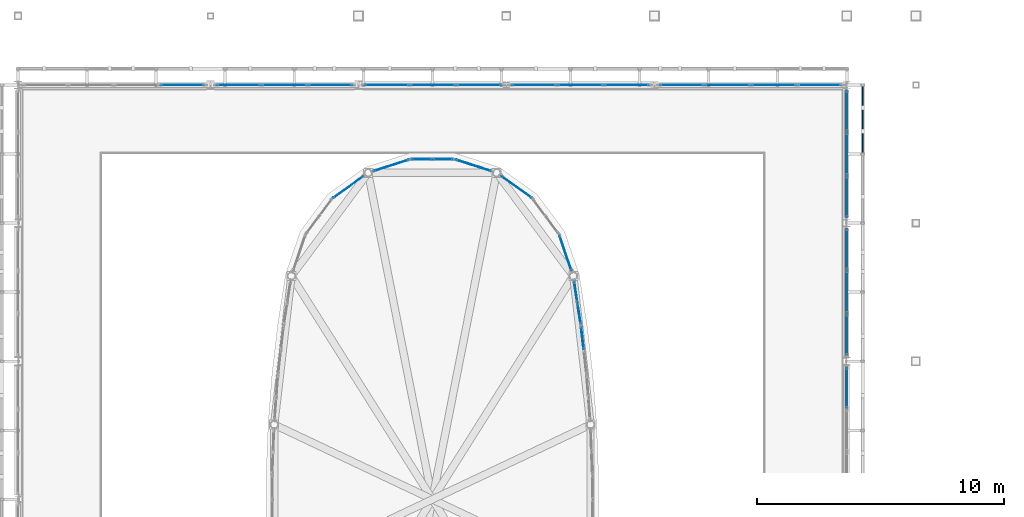
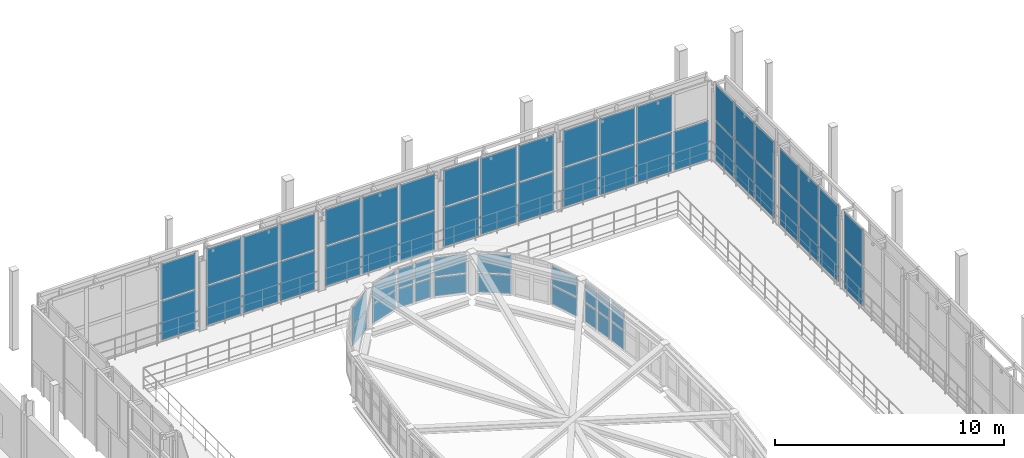
# One storey, part 54 of 78: 62 plates, 16 elements without a shape of their own.
"""IFC4 building model written with IfcOpenShell, lengths in metres."""

import ifcopenshell
import ifcopenshell.guid

model = None  # the IFC model being written
_history = None  # IfcOwnerHistory: only IFC2X3 demands one
_inside = {}  # id of a spatial element -> (the spatial element, [elements in it])
_under = {}  # id of a project, library or spatial element -> (it, [spatial elements below it])
_declared = {}  # id of a project -> (the project, [libraries it declares])
_typed = {}  # id of a type object -> (the type object, [elements of that type])
_made_of = {}  # id of a material, layer set ... -> (it, [elements and type objects made of it])


def new_model(schema):
    """Start an empty IFC model of exactly this schema.

    Asked for "IFC4X3", IfcOpenShell would pick the latest addendum, in which some entities
    have other attributes; the version numbers below select the first issue.
    IFC2X3 requires an IfcOwnerHistory on every rooted entity: one is made here for all.
    """
    global model, _history
    if schema == "IFC4X3":
        model = ifcopenshell.file(schema_version=(4, 3, 0, 0))
    else:
        model = ifcopenshell.file(schema=schema)
    _inside.clear()
    _under.clear()
    _declared.clear()
    _typed.clear()
    _made_of.clear()
    _history = None
    if model.schema == "IFC2X3":
        org = make("IfcOrganization", Name="unknown")
        user = make(
            "IfcPersonAndOrganization",
            ThePerson=make("IfcPerson", FamilyName="unknown"),
            TheOrganization=org,
        )
        app = make(
            "IfcApplication",
            ApplicationDeveloper=org,
            Version="unknown",
            ApplicationFullName="unknown",
            ApplicationIdentifier="unknown",
        )
        _history = make(
            "IfcOwnerHistory",
            OwningUser=user,
            OwningApplication=app,
            ChangeAction="ADDED",
            CreationDate=0,
        )
    return model


def make(cls, **values):
    """One entity of the class cls with the attributes given. An attribute that is None is left unset."""
    return model.create_entity(
        cls, **{name: value for name, value in values.items() if value is not None}
    )


def rooted(cls, **values):
    """An entity with a GlobalId (a new one), such as an element, a storey or a relation."""
    return make(cls, GlobalId=ifcopenshell.guid.new(), OwnerHistory=_history, **values)


def si_unit(unit_type, name, prefix=None):
    """IfcSIUnit, for example si_unit("LENGTHUNIT", "METRE", prefix="MILLI")."""
    return make("IfcSIUnit", UnitType=unit_type, Prefix=prefix, Name=name)


def assignment(units):
    """IfcUnitAssignment: the units of a project."""
    return None if units is None else make("IfcUnitAssignment", Units=units)


def point(xyz):
    """IfcCartesianPoint."""
    return None if xyz is None else make("IfcCartesianPoint", Coordinates=xyz)


def direction(xyz):
    """IfcDirection."""
    return None if xyz is None else make("IfcDirection", DirectionRatios=xyz)


def frame(location, z_axis=None, x_axis=None):
    """IfcAxis2Placement3D, a coordinate frame: its origin and axes. An axis left out is left unset."""
    return make(
        "IfcAxis2Placement3D",
        Location=point(location),
        Axis=direction(z_axis),
        RefDirection=direction(x_axis),
    )


def frame_2d(location, x_axis=None):
    """IfcAxis2Placement2D, a coordinate frame in the plane: its origin and x axis."""
    return make(
        "IfcAxis2Placement2D", Location=point(location), RefDirection=direction(x_axis)
    )


def origin():
    """The frame at (0, 0, 0) with its axes left unset."""
    return frame((0.0, 0.0, 0.0))


def origin_2d():
    """The frame at (0, 0) in the plane with its x axis left unset."""
    return frame_2d((0.0, 0.0))


def place(relative_to, where):
    """IfcLocalPlacement: puts the frame where relative to a parent placement (None: the world)."""
    return make(
        "IfcLocalPlacement", PlacementRelTo=relative_to, RelativePlacement=where
    )


def context(
    kind, dimensions, precision=None, world=None, true_north=None, identifier=None
):
    """IfcGeometricRepresentationContext, for example the 3D "Model" context."""
    return make(
        "IfcGeometricRepresentationContext",
        ContextIdentifier=identifier,
        ContextType=kind,
        CoordinateSpaceDimension=dimensions,
        Precision=precision,
        WorldCoordinateSystem=world,
        TrueNorth=true_north,
    )


def subcontext(parent, identifier, kind, view, scale=None):
    """IfcGeometricRepresentationSubContext, for example "Body" below "Model"."""
    return make(
        "IfcGeometricRepresentationSubContext",
        ContextIdentifier=identifier,
        ContextType=kind,
        ParentContext=parent,
        TargetScale=scale,
        TargetView=view,
    )


def project(units=None, contexts=None):
    """IfcProject with its units and contexts."""
    return rooted(
        "IfcProject",
        Name="project",
        RepresentationContexts=contexts,
        UnitsInContext=assignment(units),
    )


def spatial(cls, under=None, at=None, **own):
    """A site, building, storey or space (cls), placed at a placement, below another one or the project."""
    s = rooted(cls, ObjectPlacement=at, **own)
    if under is not None:
        _under.setdefault(under.id(), (under, []))[1].append(s)
    return s


def profile(cls, at=None, kind="AREA", **sizes):
    """A parametric profile (cls). Its sizes go by their IFC names, for example OverallWidth=200.0."""
    return make(cls, ProfileType=kind, Position=at, **sizes)


def rectangle(**sizes):
    """IfcRectangleProfileDef."""
    return profile("IfcRectangleProfileDef", **sizes)


def extrude(swept, where, along, depth):
    """IfcExtrudedAreaSolid: the profile swept, set in the frame where, extruded along a direction by depth."""
    return make(
        "IfcExtrudedAreaSolid",
        SweptArea=swept,
        Position=where,
        ExtrudedDirection=direction(along),
        Depth=depth,
    )


def shape(context_of_items, identifier, shape_type, items):
    """IfcShapeRepresentation: the items that make up one representation, for example the "Body"."""
    return make(
        "IfcShapeRepresentation",
        ContextOfItems=context_of_items,
        RepresentationIdentifier=identifier,
        RepresentationType=shape_type,
        Items=items,
    )


def material(Name=None, Category=None):
    """IfcMaterial."""
    return make("IfcMaterial", Name=Name, Category=Category)


def layer(
    of_material, thickness, ventilated=None, Name=None, Category=None, Priority=None
):
    """IfcMaterialLayer: one layer of a wall or slab, of a material (None: an air gap)."""
    return make(
        "IfcMaterialLayer",
        Material=of_material,
        LayerThickness=thickness,
        IsVentilated=ventilated,
        Name=Name,
        Category=Category,
        Priority=Priority,
    )


def layer_set(layers, Name=None):
    """IfcMaterialLayerSet."""
    return make("IfcMaterialLayerSet", MaterialLayers=layers, LayerSetName=Name)


def made_of(thing, what):
    """Note that an element or type object is made of a material, layer set ...; save() writes the relation."""
    if what is not None:
        _made_of.setdefault(what.id(), (what, []))[1].append(thing)
    return thing


def type_object(cls, material=None, **own):
    """A type object (cls), such as IfcWallType, which elements share."""
    return made_of(rooted(cls, **own), material)


def element(
    cls,
    number,
    at=None,
    inside=None,
    cuts=None,
    type_object=None,
    material=None,
    context=None,
    identifier="Body",
    shape_type=None,
    held_by="IfcProductDefinitionShape",
    body=None,
    shapes=None,
    **own,
):
    """One element of the class cls, such as IfcWall. Its Tag is "e" and its number.

    at: its placement. inside: the storey or other place that contains it. cuts: it is an
    opening in that element (IfcRelVoidsElement). A single representation is given by context,
    identifier, shape_type and body (its items); several are given by shapes. held_by: the class
    of the entity that holds the representations. save() writes the other relations.
    """
    e = rooted(cls, Tag="e%d" % number, ObjectPlacement=at, **own)
    if body is not None:
        shapes = [shape(context, identifier, shape_type, body)]
    if shapes is not None:
        e.Representation = make(held_by, Representations=shapes)
    if inside is not None:
        _inside.setdefault(inside.id(), (inside, []))[1].append(e)
    if cuts is not None:
        rooted(
            "IfcRelVoidsElement", RelatingBuildingElement=cuts, RelatedOpeningElement=e
        )
    if type_object is not None:
        _typed.setdefault(type_object.id(), (type_object, []))[1].append(e)
    return made_of(e, material)


def aggregate(whole, parts):
    """IfcRelAggregates: a whole, such as a stair, and the parts it consists of."""
    return rooted("IfcRelAggregates", RelatingObject=whole, RelatedObjects=parts)


def save(model, path):
    """Write the relations noted so far, then the file.

    IfcRelAggregates (storeys below a building ...), IfcRelContainedInSpatialStructure (elements
    in a storey), IfcRelDefinesByType, IfcRelAssociatesMaterial and IfcRelDeclares: one each for
    every whole, place, type object, material and project.
    """
    for whole, parts in _under.values():
        aggregate(whole, parts)
    for where, things in _inside.values():
        rooted(
            "IfcRelContainedInSpatialStructure",
            RelatedElements=things,
            RelatingStructure=where,
        )
    for kind, things in _typed.values():
        rooted("IfcRelDefinesByType", RelatedObjects=things, RelatingType=kind)
    for what, things in _made_of.values():
        rooted("IfcRelAssociatesMaterial", RelatedObjects=things, RelatingMaterial=what)
    for by, libraries in _declared.values():
        rooted("IfcRelDeclares", RelatingContext=by, RelatedDefinitions=libraries)
    model.write(path)


model = new_model("IFC4")

# Units and contexts
model_context = context("Model", 3, precision=1e-05, world=origin(), true_north=direction((0.0, 1.0)))
body_context = subcontext(model_context, "Body", "Model", "MODEL_VIEW")
ifc_project = project(units=[si_unit("LENGTHUNIT", "METRE"), si_unit("AREAUNIT", "SQUARE_METRE"), si_unit("VOLUMEUNIT", "CUBIC_METRE"), si_unit("PLANEANGLEUNIT", "RADIAN"), si_unit("MASSUNIT", "GRAM", prefix="KILO")], contexts=[model_context])

# Site, building, storey
site_placement = place(None, origin())
site = spatial("IfcSite", under=ifc_project, at=site_placement, CompositionType="ELEMENT")
building_placement = place(site_placement, origin())
building = spatial("IfcBuilding", under=site, at=building_placement, Name="Vinh Khe Railworks Police Headquarters", CompositionType="ELEMENT")
storey_placement = place(building_placement, frame((0.0, 0.0, 13.199951171875)))
storey = spatial("IfcBuildingStorey", under=building, at=storey_placement, Name="L03", CompositionType="ELEMENT", Elevation=13.199951171875)

# Curtain wall, plates
ifc_material_1 = material(Name="Anodised aluminium and acoustic laminated glass", Category="aluminium")
ifc_layer_1 = layer(ifc_material_1, 0.159912109375)
ifc_layer_set_1 = layer_set([ifc_layer_1], Name="Anodised aluminium and acoustic laminated glass")
curtain_wall_type_1 = type_object("IfcCurtainWallType", Name="CW-DRUM-CHORD", PredefinedType="USERDEFINED", material=ifc_layer_set_1)
curtain_wall_1_placement = place(storey_placement, origin())
curtain_wall_1 = element("IfcCurtainWall", 1, at=curtain_wall_1_placement, inside=storey, type_object=curtain_wall_type_1, Name="Elliptical Command Drum Glazing L03 Chord 8", ObjectType="DRUM FACADE GLAZING", PredefinedType="USERDEFINED")
ifc_material_2 = material(Name="Acoustic laminated solar-control glass", Category="glass")
ifc_layer_2 = layer(ifc_material_2, 0.031982421875)
ifc_layer_set_2 = layer_set([ifc_layer_2], Name="Acoustic laminated solar-control glass")
plate_type_1 = type_object("IfcPlateType", Name="PAN-DRUM-32", PredefinedType="CURTAIN_PANEL", material=ifc_layer_set_2)
plate_1_placement = place(storey_placement, frame((49.28369140625, 48.5390625, 0.06494140625), z_axis=(0.0, 0.0, 1.0), x_axis=(-0.115317737498, 0.993328656296, 0.0)))
plate_1 = element("IfcPlate", 2, at=plate_1_placement, type_object=plate_type_1, Name="CW-02 panel 2.1", PredefinedType="CURTAIN_PANEL", context=body_context, shape_type="SweptSolid", body=[
    extrude(rectangle(XDim=0.913818359375, YDim=0.031982421875, at=origin_2d()), origin(), (0.0, 0.0, 1.0), 0.992431640625),
])
plate_2_placement = place(storey_placement, frame((49.28369140625, 48.5390625, 1.12255859375), z_axis=(0.0, 0.0, 1.0), x_axis=(-0.115317737498, 0.993328656296, 0.0)))
plate_2 = element("IfcPlate", 3, at=plate_2_placement, type_object=plate_type_1, Name="CW-02 panel 2.2", PredefinedType="CURTAIN_PANEL", context=body_context, shape_type="SweptSolid", body=[
    extrude(rectangle(XDim=0.913818359375, YDim=0.031982421875, at=origin_2d()), origin(), (0.0, 0.0, 1.0), 0.992431640625),
])
aggregate(curtain_wall_1, [plate_1, plate_2])

curtain_wall_2_placement = place(storey_placement, origin())
curtain_wall_2 = element("IfcCurtainWall", 4, at=curtain_wall_2_placement, inside=storey, type_object=curtain_wall_type_1, Name="Elliptical Command Drum Glazing L03 Chord 9", ObjectType="DRUM FACADE GLAZING", PredefinedType="USERDEFINED")
plate_3_placement = place(storey_placement, frame((49.150390625, 49.528076171875, 0.06494140625), z_axis=(0.0, 0.0, 1.0), x_axis=(-0.153488905684, 0.988150371063, 0.0)))
plate_3 = element("IfcPlate", 5, at=plate_3_placement, type_object=plate_type_1, Name="CW-02 panel 1.1", PredefinedType="CURTAIN_PANEL", context=body_context, shape_type="SweptSolid", body=[
    extrude(rectangle(XDim=0.82275390625, YDim=0.031982421875, at=origin_2d()), origin(), (0.0, 0.0, 1.0), 0.992431640625),
])
plate_4_placement = place(storey_placement, frame((49.150390625, 49.528076171875, 1.12255859375), z_axis=(0.0, 0.0, 1.0), x_axis=(-0.153488905684, 0.988150371063, 0.0)))
plate_4 = element("IfcPlate", 6, at=plate_4_placement, type_object=plate_type_1, Name="CW-02 panel 1.2", PredefinedType="CURTAIN_PANEL", context=body_context, shape_type="SweptSolid", body=[
    extrude(rectangle(XDim=0.82275390625, YDim=0.031982421875, at=origin_2d()), origin(), (0.0, 0.0, 1.0), 0.992431640625),
])
plate_5_placement = place(storey_placement, frame((49.01416015625, 50.4052734375, 0.06494140625), z_axis=(0.0, 0.0, 1.0), x_axis=(-0.153488905684, 0.988150371063, 0.0)))
plate_5 = element("IfcPlate", 7, at=plate_5_placement, type_object=plate_type_1, Name="CW-02 panel 2.1", PredefinedType="CURTAIN_PANEL", context=body_context, shape_type="SweptSolid", body=[
    extrude(rectangle(XDim=0.82275390625, YDim=0.031982421875, at=origin_2d()), origin(), (0.0, 0.0, 1.0), 0.992431640625),
])
plate_6_placement = place(storey_placement, frame((49.01416015625, 50.4052734375, 1.12255859375), z_axis=(0.0, 0.0, 1.0), x_axis=(-0.153488905684, 0.988150371063, 0.0)))
plate_6 = element("IfcPlate", 8, at=plate_6_placement, type_object=plate_type_1, Name="CW-02 panel 2.2", PredefinedType="CURTAIN_PANEL", context=body_context, shape_type="SweptSolid", body=[
    extrude(rectangle(XDim=0.82275390625, YDim=0.031982421875, at=origin_2d()), origin(), (0.0, 0.0, 1.0), 0.992431640625),
])
aggregate(curtain_wall_2, [plate_3, plate_4, plate_5, plate_6])

curtain_wall_3_placement = place(storey_placement, origin())
curtain_wall_3 = element("IfcCurtainWall", 9, at=curtain_wall_3_placement, inside=storey, type_object=curtain_wall_type_1, Name="Elliptical Command Drum Glazing L03 Chord 10", ObjectType="DRUM FACADE GLAZING", PredefinedType="USERDEFINED")
plate_7_placement = place(storey_placement, frame((48.59423828125, 51.990966796875, 0.06494140625), z_axis=(0.0, 0.0, 1.0), x_axis=(-0.322748955701, 0.946484607162, 0.0)))
plate_7 = element("IfcPlate", 10, at=plate_7_placement, type_object=plate_type_1, Name="CW-02 panel 1.1", PredefinedType="CURTAIN_PANEL", context=body_context, shape_type="SweptSolid", body=[
    extrude(rectangle(XDim=1.48193359375, YDim=0.031982421875, at=origin_2d()), origin(), (0.0, 0.0, 1.0), 0.992431640625),
])
plate_8_placement = place(storey_placement, frame((48.59423828125, 51.990966796875, 1.12255859375), z_axis=(0.0, 0.0, 1.0), x_axis=(-0.322748955701, 0.946484607162, 0.0)))
plate_8 = element("IfcPlate", 11, at=plate_8_placement, type_object=plate_type_1, Name="CW-02 panel 1.2", PredefinedType="CURTAIN_PANEL", context=body_context, shape_type="SweptSolid", body=[
    extrude(rectangle(XDim=1.48193359375, YDim=0.031982421875, at=origin_2d()), origin(), (0.0, 0.0, 1.0), 0.992431640625),
])
aggregate(curtain_wall_3, [plate_7, plate_8])

curtain_wall_4_placement = place(storey_placement, origin())
curtain_wall_4 = element("IfcCurtainWall", 12, at=curtain_wall_4_placement, inside=storey, type_object=curtain_wall_type_1, Name="Elliptical Command Drum Glazing L03 Chord 12", ObjectType="DRUM FACADE GLAZING", PredefinedType="USERDEFINED")
plate_9_placement = place(storey_placement, frame((46.6083984375, 54.66259765625, 0.06494140625), z_axis=(0.0, 0.0, 1.0), x_axis=(-0.813250307161, 0.581914029649, 0.0)))
plate_9 = element("IfcPlate", 13, at=plate_9_placement, type_object=plate_type_1, Name="CW-02 panel 1.1", PredefinedType="CURTAIN_PANEL", context=body_context, shape_type="SweptSolid", body=[
    extrude(rectangle(XDim=1.48193359375, YDim=0.031982421875, at=origin_2d()), origin(), (0.0, 0.0, 1.0), 0.992431640625),
])
plate_10_placement = place(storey_placement, frame((46.6083984375, 54.66259765625, 1.12255859375), z_axis=(0.0, 0.0, 1.0), x_axis=(-0.813250307161, 0.581914029649, 0.0)))
plate_10 = element("IfcPlate", 14, at=plate_10_placement, type_object=plate_type_1, Name="CW-02 panel 1.2", PredefinedType="CURTAIN_PANEL", context=body_context, shape_type="SweptSolid", body=[
    extrude(rectangle(XDim=1.48193359375, YDim=0.031982421875, at=origin_2d()), origin(), (0.0, 0.0, 1.0), 0.992431640625),
])
aggregate(curtain_wall_4, [plate_9, plate_10])

curtain_wall_5_placement = place(storey_placement, origin())
curtain_wall_5 = element("IfcCurtainWall", 15, at=curtain_wall_5_placement, inside=storey, type_object=curtain_wall_type_1, Name="Elliptical Command Drum Glazing L03 Chord 13", ObjectType="DRUM FACADE GLAZING", PredefinedType="USERDEFINED")
plate_11_placement = place(storey_placement, frame((44.864501953125, 55.539306640625, 0.06494140625), z_axis=(0.0, 0.0, 1.0), x_axis=(-0.952166591336, 0.305579420681, 0.0)))
plate_11 = element("IfcPlate", 16, at=plate_11_placement, type_object=plate_type_1, Name="CW-02 panel 1.1", PredefinedType="CURTAIN_PANEL", context=body_context, shape_type="SweptSolid", body=[
    extrude(rectangle(XDim=1.48193359375, YDim=0.031982421875, at=origin_2d()), origin(), (0.0, 0.0, 1.0), 0.992431640625),
])
plate_12_placement = place(storey_placement, frame((44.864501953125, 55.539306640625, 1.12255859375), z_axis=(0.0, 0.0, 1.0), x_axis=(-0.952166591336, 0.305579420681, 0.0)))
plate_12 = element("IfcPlate", 17, at=plate_12_placement, type_object=plate_type_1, Name="CW-02 panel 1.2", PredefinedType="CURTAIN_PANEL", context=body_context, shape_type="SweptSolid", body=[
    extrude(rectangle(XDim=1.48193359375, YDim=0.031982421875, at=origin_2d()), origin(), (0.0, 0.0, 1.0), 0.992431640625),
])
aggregate(curtain_wall_5, [plate_11, plate_12])

curtain_wall_6_placement = place(storey_placement, origin())
curtain_wall_6 = element("IfcCurtainWall", 18, at=curtain_wall_6_placement, inside=storey, type_object=curtain_wall_type_1, Name="Elliptical Command Drum Glazing L03 Chord 14", ObjectType="DRUM FACADE GLAZING", PredefinedType="USERDEFINED")
plate_13_placement = place(storey_placement, frame((43.63232421875, 55.78564453125, 0.06494140625), z_axis=(0.0, 0.0, 1.0), x_axis=(-1.0, 0.0, 0.0)))
plate_13 = element("IfcPlate", 19, at=plate_13_placement, type_object=plate_type_1, Name="CW-02 panel 1.1", PredefinedType="CURTAIN_PANEL", context=body_context, shape_type="SweptSolid", body=[
    extrude(rectangle(XDim=0.799560546875, YDim=0.031982421875, at=origin_2d()), origin(), (0.0, 0.0, 1.0), 0.992431640625),
])
plate_14_placement = place(storey_placement, frame((43.63232421875, 55.78564453125, 1.12255859375), z_axis=(0.0, 0.0, 1.0), x_axis=(-1.0, 0.0, 0.0)))
plate_14 = element("IfcPlate", 20, at=plate_14_placement, type_object=plate_type_1, Name="CW-02 panel 1.2", PredefinedType="CURTAIN_PANEL", context=body_context, shape_type="SweptSolid", body=[
    extrude(rectangle(XDim=0.799560546875, YDim=0.031982421875, at=origin_2d()), origin(), (0.0, 0.0, 1.0), 0.992431640625),
])
plate_15_placement = place(storey_placement, frame((42.767822265625, 55.78564453125, 0.06494140625), z_axis=(0.0, 0.0, 1.0), x_axis=(-1.0, 0.0, 0.0)))
plate_15 = element("IfcPlate", 21, at=plate_15_placement, type_object=plate_type_1, Name="CW-02 panel 2.1", PredefinedType="CURTAIN_PANEL", context=body_context, shape_type="SweptSolid", body=[
    extrude(rectangle(XDim=0.799560546875, YDim=0.031982421875, at=origin_2d()), origin(), (0.0, 0.0, 1.0), 0.992431640625),
])
plate_16_placement = place(storey_placement, frame((42.767822265625, 55.78564453125, 1.12255859375), z_axis=(0.0, 0.0, 1.0), x_axis=(-1.0, 0.0, 0.0)))
plate_16 = element("IfcPlate", 22, at=plate_16_placement, type_object=plate_type_1, Name="CW-02 panel 2.2", PredefinedType="CURTAIN_PANEL", context=body_context, shape_type="SweptSolid", body=[
    extrude(rectangle(XDim=0.799560546875, YDim=0.031982421875, at=origin_2d()), origin(), (0.0, 0.0, 1.0), 0.992431640625),
])
aggregate(curtain_wall_6, [plate_13, plate_14, plate_15, plate_16])

curtain_wall_7_placement = place(storey_placement, origin())
curtain_wall_7 = element("IfcCurtainWall", 23, at=curtain_wall_7_placement, inside=storey, type_object=curtain_wall_type_1, Name="Elliptical Command Drum Glazing L03 Chord 15", ObjectType="DRUM FACADE GLAZING", PredefinedType="USERDEFINED")
plate_17_placement = place(storey_placement, frame((41.53564453125, 55.539306640625, 0.06494140625), z_axis=(0.0, 0.0, 1.0), x_axis=(-0.952166591336, -0.305579420681, 0.0)))
plate_17 = element("IfcPlate", 24, at=plate_17_placement, type_object=plate_type_1, Name="CW-02 panel 1.1", PredefinedType="CURTAIN_PANEL", context=body_context, shape_type="SweptSolid", body=[
    extrude(rectangle(XDim=1.48193359375, YDim=0.031982421875, at=origin_2d()), origin(), (0.0, 0.0, 1.0), 0.992431640625),
])
plate_18_placement = place(storey_placement, frame((41.53564453125, 55.539306640625, 1.12255859375), z_axis=(0.0, 0.0, 1.0), x_axis=(-0.952166591336, -0.305579420681, 0.0)))
plate_18 = element("IfcPlate", 25, at=plate_18_placement, type_object=plate_type_1, Name="CW-02 panel 1.2", PredefinedType="CURTAIN_PANEL", context=body_context, shape_type="SweptSolid", body=[
    extrude(rectangle(XDim=1.48193359375, YDim=0.031982421875, at=origin_2d()), origin(), (0.0, 0.0, 1.0), 0.992431640625),
])
aggregate(curtain_wall_7, [plate_17, plate_18])

curtain_wall_8_placement = place(storey_placement, origin())
curtain_wall_8 = element("IfcCurtainWall", 26, at=curtain_wall_8_placement, inside=storey, type_object=curtain_wall_type_1, Name="Elliptical Command Drum Glazing L03 Chord 16", ObjectType="DRUM FACADE GLAZING", PredefinedType="USERDEFINED")
plate_19_placement = place(storey_placement, frame((39.79150390625, 54.66259765625, 0.06494140625), z_axis=(0.0, 0.0, 1.0), x_axis=(-0.813250307161, -0.581914029649, 0.0)))
plate_19 = element("IfcPlate", 27, at=plate_19_placement, type_object=plate_type_1, Name="CW-02 panel 1.1", PredefinedType="CURTAIN_PANEL", context=body_context, shape_type="SweptSolid", body=[
    extrude(rectangle(XDim=1.48193359375, YDim=0.031982421875, at=origin_2d()), origin(), (0.0, 0.0, 1.0), 0.992431640625),
])
plate_20_placement = place(storey_placement, frame((39.79150390625, 54.66259765625, 1.12255859375), z_axis=(0.0, 0.0, 1.0), x_axis=(-0.813250307161, -0.581914029649, 0.0)))
plate_20 = element("IfcPlate", 28, at=plate_20_placement, type_object=plate_type_1, Name="CW-02 panel 1.2", PredefinedType="CURTAIN_PANEL", context=body_context, shape_type="SweptSolid", body=[
    extrude(rectangle(XDim=1.48193359375, YDim=0.031982421875, at=origin_2d()), origin(), (0.0, 0.0, 1.0), 0.992431640625),
])
aggregate(curtain_wall_8, [plate_19, plate_20])

ifc_material_3 = material(Name="Anodised aluminium and low-iron glass", Category="aluminium")
ifc_layer_3 = layer(ifc_material_3, 0.179931640625)
ifc_layer_set_3 = layer_set([ifc_layer_3], Name="Anodised aluminium and low-iron glass")
curtain_wall_type_2 = type_object("IfcCurtainWallType", Name="CW-CUBE-UNIT", PredefinedType="USERDEFINED", material=ifc_layer_set_3)
curtain_wall_9_placement = place(storey_placement, origin())
curtain_wall_9 = element("IfcCurtainWall", 29, at=curtain_wall_9_placement, inside=storey, type_object=curtain_wall_type_2, Name="Entrance Hall Curtain Wall L03 N-1", ObjectType="UNITISED GLAZING", PredefinedType="USERDEFINED")
ifc_material_4 = material(Name="Low-iron laminated solar-control glass", Category="glass")
ifc_layer_4 = layer(ifc_material_4, 0.028076171875)
ifc_layer_set_4 = layer_set([ifc_layer_4], Name="Low-iron laminated solar-control glass")
plate_type_2 = type_object("IfcPlateType", Name="PAN-GLZ-28", PredefinedType="CURTAIN_PANEL", material=ifc_layer_set_4)
plate_21_placement = place(storey_placement, frame((33.05810546875, 58.800048828125, 0.070068359375), z_axis=(0.0, 0.0, 1.0), x_axis=(1.0, 0.0, 0.0)))
plate_21 = element("IfcPlate", 30, at=plate_21_placement, type_object=plate_type_2, Name="CW-01 panel 4.1", PredefinedType="CURTAIN_PANEL", context=body_context, shape_type="SweptSolid", body=[
    extrude(rectangle(XDim=1.753662109375, YDim=0.028076171875, at=origin_2d()), origin(), (0.0, 0.0, 1.0), 2.0791015625),
])
plate_22_placement = place(storey_placement, frame((33.05810546875, 58.800048828125, 2.21923828125), z_axis=(0.0, 0.0, 1.0), x_axis=(1.0, 0.0, 0.0)))
plate_22 = element("IfcPlate", 31, at=plate_22_placement, type_object=plate_type_2, Name="CW-01 panel 4.2", PredefinedType="CURTAIN_PANEL", context=body_context, shape_type="SweptSolid", body=[
    extrude(rectangle(XDim=1.753662109375, YDim=0.028076171875, at=origin_2d()), origin(), (0.0, 0.0, 1.0), 1.910888671875),
])
aggregate(curtain_wall_9, [plate_21, plate_22])

curtain_wall_10_placement = place(storey_placement, origin())
curtain_wall_10 = element("IfcCurtainWall", 32, at=curtain_wall_10_placement, inside=storey, type_object=curtain_wall_type_2, Name="Entrance Hall Curtain Wall L03 N-2", ObjectType="UNITISED GLAZING", PredefinedType="USERDEFINED")
plate_23_placement = place(storey_placement, frame((35.34912109375, 58.800048828125, 0.070068359375), z_axis=(0.0, 0.0, 1.0), x_axis=(1.0, 0.0, 0.0)))
plate_23 = element("IfcPlate", 33, at=plate_23_placement, type_object=plate_type_2, Name="CW-01 panel 1.1", PredefinedType="CURTAIN_PANEL", context=body_context, shape_type="SweptSolid", body=[
    extrude(rectangle(XDim=1.768310546875, YDim=0.028076171875, at=origin_2d()), origin(), (0.0, 0.0, 1.0), 2.0791015625),
])
plate_24_placement = place(storey_placement, frame((35.34912109375, 58.800048828125, 2.21923828125), z_axis=(0.0, 0.0, 1.0), x_axis=(1.0, 0.0, 0.0)))
plate_24 = element("IfcPlate", 34, at=plate_24_placement, type_object=plate_type_2, Name="CW-01 panel 1.2", PredefinedType="CURTAIN_PANEL", context=body_context, shape_type="SweptSolid", body=[
    extrude(rectangle(XDim=1.768310546875, YDim=0.028076171875, at=origin_2d()), origin(), (0.0, 0.0, 1.0), 1.910888671875),
])
plate_25_placement = place(storey_placement, frame((37.205078125, 58.800048828125, 0.070068359375), z_axis=(0.0, 0.0, 1.0), x_axis=(1.0, 0.0, 0.0)))
plate_25 = element("IfcPlate", 35, at=plate_25_placement, type_object=plate_type_2, Name="CW-01 panel 2.1", PredefinedType="CURTAIN_PANEL", context=body_context, shape_type="SweptSolid", body=[
    extrude(rectangle(XDim=1.80322265625, YDim=0.028076171875, at=origin_2d()), origin(), (0.0, 0.0, 1.0), 2.0791015625),
])
plate_26_placement = place(storey_placement, frame((37.205078125, 58.800048828125, 2.21923828125), z_axis=(0.0, 0.0, 1.0), x_axis=(1.0, 0.0, 0.0)))
plate_26 = element("IfcPlate", 36, at=plate_26_placement, type_object=plate_type_2, Name="CW-01 panel 2.2", PredefinedType="CURTAIN_PANEL", context=body_context, shape_type="SweptSolid", body=[
    extrude(rectangle(XDim=1.80322265625, YDim=0.028076171875, at=origin_2d()), origin(), (0.0, 0.0, 1.0), 1.910888671875),
])
plate_27_placement = place(storey_placement, frame((39.060791015625, 58.800048828125, 0.070068359375), z_axis=(0.0, 0.0, 1.0), x_axis=(1.0, 0.0, 0.0)))
plate_27 = element("IfcPlate", 37, at=plate_27_placement, type_object=plate_type_2, Name="CW-01 panel 3.1", PredefinedType="CURTAIN_PANEL", context=body_context, shape_type="SweptSolid", body=[
    extrude(rectangle(XDim=1.768310546875, YDim=0.028076171875, at=origin_2d()), origin(), (0.0, 0.0, 1.0), 2.0791015625),
])
plate_28_placement = place(storey_placement, frame((39.060791015625, 58.800048828125, 2.21923828125), z_axis=(0.0, 0.0, 1.0), x_axis=(1.0, 0.0, 0.0)))
plate_28 = element("IfcPlate", 38, at=plate_28_placement, type_object=plate_type_2, Name="CW-01 panel 3.2", PredefinedType="CURTAIN_PANEL", context=body_context, shape_type="SweptSolid", body=[
    extrude(rectangle(XDim=1.768310546875, YDim=0.028076171875, at=origin_2d()), origin(), (0.0, 0.0, 1.0), 1.910888671875),
])
aggregate(curtain_wall_10, [plate_23, plate_24, plate_25, plate_26, plate_27, plate_28])

curtain_wall_11_placement = place(storey_placement, origin())
curtain_wall_11 = element("IfcCurtainWall", 39, at=curtain_wall_11_placement, inside=storey, type_object=curtain_wall_type_2, Name="Entrance Hall Curtain Wall L03 N-3", ObjectType="UNITISED GLAZING", PredefinedType="USERDEFINED")
plate_29_placement = place(storey_placement, frame((41.348388671875, 58.800048828125, 0.070068359375), z_axis=(0.0, 0.0, 1.0), x_axis=(1.0, 0.0, 0.0)))
plate_29 = element("IfcPlate", 40, at=plate_29_placement, type_object=plate_type_2, Name="CW-01 panel 1.1", PredefinedType="CURTAIN_PANEL", context=body_context, shape_type="SweptSolid", body=[
    extrude(rectangle(XDim=1.78662109375, YDim=0.028076171875, at=origin_2d()), origin(), (0.0, 0.0, 1.0), 2.0791015625),
])
plate_30_placement = place(storey_placement, frame((41.348388671875, 58.800048828125, 2.21923828125), z_axis=(0.0, 0.0, 1.0), x_axis=(1.0, 0.0, 0.0)))
plate_30 = element("IfcPlate", 41, at=plate_30_placement, type_object=plate_type_2, Name="CW-01 panel 1.2", PredefinedType="CURTAIN_PANEL", context=body_context, shape_type="SweptSolid", body=[
    extrude(rectangle(XDim=1.78662109375, YDim=0.028076171875, at=origin_2d()), origin(), (0.0, 0.0, 1.0), 1.910888671875),
])
plate_31_placement = place(storey_placement, frame((43.222412109375, 58.800048828125, 0.070068359375), z_axis=(0.0, 0.0, 1.0), x_axis=(1.0, 0.0, 0.0)))
plate_31 = element("IfcPlate", 42, at=plate_31_placement, type_object=plate_type_2, Name="CW-01 panel 2.1", PredefinedType="CURTAIN_PANEL", context=body_context, shape_type="SweptSolid", body=[
    extrude(rectangle(XDim=1.82177734375, YDim=0.028076171875, at=origin_2d()), origin(), (0.0, 0.0, 1.0), 2.0791015625),
])
plate_32_placement = place(storey_placement, frame((43.222412109375, 58.800048828125, 2.21923828125), z_axis=(0.0, 0.0, 1.0), x_axis=(1.0, 0.0, 0.0)))
plate_32 = element("IfcPlate", 43, at=plate_32_placement, type_object=plate_type_2, Name="CW-01 panel 2.2", PredefinedType="CURTAIN_PANEL", context=body_context, shape_type="SweptSolid", body=[
    extrude(rectangle(XDim=1.82177734375, YDim=0.028076171875, at=origin_2d()), origin(), (0.0, 0.0, 1.0), 1.910888671875),
])
plate_33_placement = place(storey_placement, frame((45.0966796875, 58.800048828125, 0.070068359375), z_axis=(0.0, 0.0, 1.0), x_axis=(1.0, 0.0, 0.0)))
plate_33 = element("IfcPlate", 44, at=plate_33_placement, type_object=plate_type_2, Name="CW-01 panel 3.1", PredefinedType="CURTAIN_PANEL", context=body_context, shape_type="SweptSolid", body=[
    extrude(rectangle(XDim=1.78662109375, YDim=0.028076171875, at=origin_2d()), origin(), (0.0, 0.0, 1.0), 2.0791015625),
])
plate_34_placement = place(storey_placement, frame((45.0966796875, 58.800048828125, 2.21923828125), z_axis=(0.0, 0.0, 1.0), x_axis=(1.0, 0.0, 0.0)))
plate_34 = element("IfcPlate", 45, at=plate_34_placement, type_object=plate_type_2, Name="CW-01 panel 3.2", PredefinedType="CURTAIN_PANEL", context=body_context, shape_type="SweptSolid", body=[
    extrude(rectangle(XDim=1.78662109375, YDim=0.028076171875, at=origin_2d()), origin(), (0.0, 0.0, 1.0), 1.910888671875),
])
aggregate(curtain_wall_11, [plate_29, plate_30, plate_31, plate_32, plate_33, plate_34])

curtain_wall_12_placement = place(storey_placement, origin())
curtain_wall_12 = element("IfcCurtainWall", 46, at=curtain_wall_12_placement, inside=storey, type_object=curtain_wall_type_2, Name="Entrance Hall Curtain Wall L03 N-4", ObjectType="UNITISED GLAZING", PredefinedType="USERDEFINED")
plate_35_placement = place(storey_placement, frame((47.3076171875, 58.800048828125, 0.070068359375), z_axis=(0.0, 0.0, 1.0), x_axis=(1.0, 0.0, 0.0)))
plate_35 = element("IfcPlate", 47, at=plate_35_placement, type_object=plate_type_2, Name="CW-01 panel 1.1", PredefinedType="CURTAIN_PANEL", context=body_context, shape_type="SweptSolid", body=[
    extrude(rectangle(XDim=1.794921875, YDim=0.028076171875, at=origin_2d()), origin(), (0.0, 0.0, 1.0), 2.0791015625),
])
plate_36_placement = place(storey_placement, frame((47.3076171875, 58.800048828125, 2.21923828125), z_axis=(0.0, 0.0, 1.0), x_axis=(1.0, 0.0, 0.0)))
plate_36 = element("IfcPlate", 48, at=plate_36_placement, type_object=plate_type_2, Name="CW-01 panel 1.2", PredefinedType="CURTAIN_PANEL", context=body_context, shape_type="SweptSolid", body=[
    extrude(rectangle(XDim=1.794921875, YDim=0.028076171875, at=origin_2d()), origin(), (0.0, 0.0, 1.0), 1.910888671875),
])
plate_37_placement = place(storey_placement, frame((49.18994140625, 58.800048828125, 0.070068359375), z_axis=(0.0, 0.0, 1.0), x_axis=(1.0, 0.0, 0.0)))
plate_37 = element("IfcPlate", 49, at=plate_37_placement, type_object=plate_type_2, Name="CW-01 panel 2.1", PredefinedType="CURTAIN_PANEL", context=body_context, shape_type="SweptSolid", body=[
    extrude(rectangle(XDim=1.830078125, YDim=0.028076171875, at=origin_2d()), origin(), (0.0, 0.0, 1.0), 2.0791015625),
])
plate_38_placement = place(storey_placement, frame((49.18994140625, 58.800048828125, 2.21923828125), z_axis=(0.0, 0.0, 1.0), x_axis=(1.0, 0.0, 0.0)))
plate_38 = element("IfcPlate", 50, at=plate_38_placement, type_object=plate_type_2, Name="CW-01 panel 2.2", PredefinedType="CURTAIN_PANEL", context=body_context, shape_type="SweptSolid", body=[
    extrude(rectangle(XDim=1.830078125, YDim=0.028076171875, at=origin_2d()), origin(), (0.0, 0.0, 1.0), 1.910888671875),
])
plate_39_placement = place(storey_placement, frame((51.072509765625, 58.800048828125, 0.070068359375), z_axis=(0.0, 0.0, 1.0), x_axis=(1.0, 0.0, 0.0)))
plate_39 = element("IfcPlate", 51, at=plate_39_placement, type_object=plate_type_2, Name="CW-01 panel 3.1", PredefinedType="CURTAIN_PANEL", context=body_context, shape_type="SweptSolid", body=[
    extrude(rectangle(XDim=1.794921875, YDim=0.028076171875, at=origin_2d()), origin(), (0.0, 0.0, 1.0), 2.0791015625),
])
plate_40_placement = place(storey_placement, frame((51.072509765625, 58.800048828125, 2.21923828125), z_axis=(0.0, 0.0, 1.0), x_axis=(1.0, 0.0, 0.0)))
plate_40 = element("IfcPlate", 52, at=plate_40_placement, type_object=plate_type_2, Name="CW-01 panel 3.2", PredefinedType="CURTAIN_PANEL", context=body_context, shape_type="SweptSolid", body=[
    extrude(rectangle(XDim=1.794921875, YDim=0.028076171875, at=origin_2d()), origin(), (0.0, 0.0, 1.0), 1.910888671875),
])
aggregate(curtain_wall_12, [plate_35, plate_36, plate_37, plate_38, plate_39, plate_40])

curtain_wall_13_placement = place(storey_placement, origin())
curtain_wall_13 = element("IfcCurtainWall", 53, at=curtain_wall_13_placement, inside=storey, type_object=curtain_wall_type_2, Name="Entrance Hall Curtain Wall L03 N-5", ObjectType="UNITISED GLAZING", PredefinedType="USERDEFINED")
plate_41_placement = place(storey_placement, frame((53.3125, 58.800048828125, 0.070068359375), z_axis=(0.0, 0.0, 1.0), x_axis=(1.0, 0.0, 0.0)))
plate_41 = element("IfcPlate", 54, at=plate_41_placement, type_object=plate_type_2, Name="CW-01 panel 1.1", PredefinedType="CURTAIN_PANEL", context=body_context, shape_type="SweptSolid", body=[
    extrude(rectangle(XDim=1.764892578125, YDim=0.028076171875, at=origin_2d()), origin(), (0.0, 0.0, 1.0), 2.0791015625),
])
plate_42_placement = place(storey_placement, frame((53.3125, 58.800048828125, 2.21923828125), z_axis=(0.0, 0.0, 1.0), x_axis=(1.0, 0.0, 0.0)))
plate_42 = element("IfcPlate", 55, at=plate_42_placement, type_object=plate_type_2, Name="CW-01 panel 1.2", PredefinedType="CURTAIN_PANEL", context=body_context, shape_type="SweptSolid", body=[
    extrude(rectangle(XDim=1.764892578125, YDim=0.028076171875, at=origin_2d()), origin(), (0.0, 0.0, 1.0), 1.910888671875),
])
plate_43_placement = place(storey_placement, frame((55.1650390625, 58.800048828125, 0.070068359375), z_axis=(0.0, 0.0, 1.0), x_axis=(1.0, 0.0, 0.0)))
plate_43 = element("IfcPlate", 56, at=plate_43_placement, type_object=plate_type_2, Name="CW-01 panel 2.1", PredefinedType="CURTAIN_PANEL", context=body_context, shape_type="SweptSolid", body=[
    extrude(rectangle(XDim=1.800048828125, YDim=0.028076171875, at=origin_2d()), origin(), (0.0, 0.0, 1.0), 2.0791015625),
])
plate_44_placement = place(storey_placement, frame((55.1650390625, 58.800048828125, 2.21923828125), z_axis=(0.0, 0.0, 1.0), x_axis=(1.0, 0.0, 0.0)))
plate_44 = element("IfcPlate", 57, at=plate_44_placement, type_object=plate_type_2, Name="CW-01 panel 2.2", PredefinedType="CURTAIN_PANEL", context=body_context, shape_type="SweptSolid", body=[
    extrude(rectangle(XDim=1.800048828125, YDim=0.028076171875, at=origin_2d()), origin(), (0.0, 0.0, 1.0), 1.910888671875),
])
plate_45_placement = place(storey_placement, frame((57.034912109375, 58.800048828125, 0.070068359375), z_axis=(0.0, 0.0, 1.0), x_axis=(1.0, 0.0, 0.0)))
plate_45 = element("IfcPlate", 58, at=plate_45_placement, type_object=plate_type_2, Name="CW-01 panel 3.1", PredefinedType="CURTAIN_PANEL", context=body_context, shape_type="SweptSolid", body=[
    extrude(rectangle(XDim=1.800048828125, YDim=0.028076171875, at=origin_2d()), origin(), (0.0, 0.0, 1.0), 2.0791015625),
])
plate_46_placement = place(storey_placement, frame((57.034912109375, 58.800048828125, 2.21923828125), z_axis=(0.0, 0.0, 1.0), x_axis=(1.0, 0.0, 0.0)))
plate_46 = element("IfcPlate", 59, at=plate_46_placement, type_object=plate_type_2, Name="CW-01 panel 3.2", PredefinedType="CURTAIN_PANEL", context=body_context, shape_type="SweptSolid", body=[
    extrude(rectangle(XDim=1.800048828125, YDim=0.028076171875, at=origin_2d()), origin(), (0.0, 0.0, 1.0), 1.910888671875),
])
plate_47_placement = place(storey_placement, frame((58.887451171875, 58.800048828125, 0.070068359375), z_axis=(0.0, 0.0, 1.0), x_axis=(1.0, 0.0, 0.0)))
plate_47 = element("IfcPlate", 60, at=plate_47_placement, type_object=plate_type_2, Name="CW-01 panel 4.1", PredefinedType="CURTAIN_PANEL", context=body_context, shape_type="SweptSolid", body=[
    extrude(rectangle(XDim=1.764892578125, YDim=0.028076171875, at=origin_2d()), origin(), (0.0, 0.0, 1.0), 2.0791015625),
])
aggregate(curtain_wall_13, [plate_41, plate_42, plate_43, plate_44, plate_45, plate_46, plate_47])

curtain_wall_14_placement = place(storey_placement, origin())
curtain_wall_14 = element("IfcCurtainWall", 61, at=curtain_wall_14_placement, inside=storey, type_object=curtain_wall_type_2, Name="Entrance Hall Curtain Wall L03 E-4", ObjectType="UNITISED GLAZING", PredefinedType="USERDEFINED")
plate_48_placement = place(storey_placement, frame((60.0, 46.527587890625, 0.070068359375), z_axis=(0.0, 0.0, 1.0), x_axis=(0.0, 1.0, 0.0)))
plate_48 = element("IfcPlate", 62, at=plate_48_placement, type_object=plate_type_2, Name="CW-01 panel 3.1", PredefinedType="CURTAIN_PANEL", context=body_context, shape_type="SweptSolid", body=[
    extrude(rectangle(XDim=1.635009765625, YDim=0.028076171875, at=origin_2d()), origin(), (0.0, 0.0, 1.0), 2.0791015625),
])
plate_49_placement = place(storey_placement, frame((60.0, 46.527587890625, 2.21923828125), z_axis=(0.0, 0.0, 1.0), x_axis=(0.0, 1.0, 0.0)))
plate_49 = element("IfcPlate", 63, at=plate_49_placement, type_object=plate_type_2, Name="CW-01 panel 3.2", PredefinedType="CURTAIN_PANEL", context=body_context, shape_type="SweptSolid", body=[
    extrude(rectangle(XDim=1.635009765625, YDim=0.028076171875, at=origin_2d()), origin(), (0.0, 0.0, 1.0), 1.910888671875),
])
aggregate(curtain_wall_14, [plate_48, plate_49])

curtain_wall_15_placement = place(storey_placement, origin())
curtain_wall_15 = element("IfcCurtainWall", 64, at=curtain_wall_15_placement, inside=storey, type_object=curtain_wall_type_2, Name="Entrance Hall Curtain Wall L03 E-5", ObjectType="UNITISED GLAZING", PredefinedType="USERDEFINED")
plate_50_placement = place(storey_placement, frame((60.0, 48.6767578125, 0.070068359375), z_axis=(0.0, 0.0, 1.0), x_axis=(0.0, 1.0, 0.0)))
plate_50 = element("IfcPlate", 65, at=plate_50_placement, type_object=plate_type_2, Name="CW-01 panel 1.1", PredefinedType="CURTAIN_PANEL", context=body_context, shape_type="SweptSolid", body=[
    extrude(rectangle(XDim=1.643310546875, YDim=0.028076171875, at=origin_2d()), origin(), (0.0, 0.0, 1.0), 2.0791015625),
])
plate_51_placement = place(storey_placement, frame((60.0, 48.6767578125, 2.21923828125), z_axis=(0.0, 0.0, 1.0), x_axis=(0.0, 1.0, 0.0)))
plate_51 = element("IfcPlate", 66, at=plate_51_placement, type_object=plate_type_2, Name="CW-01 panel 1.2", PredefinedType="CURTAIN_PANEL", context=body_context, shape_type="SweptSolid", body=[
    extrude(rectangle(XDim=1.643310546875, YDim=0.028076171875, at=origin_2d()), origin(), (0.0, 0.0, 1.0), 1.910888671875),
])
plate_52_placement = place(storey_placement, frame((60.0, 50.407470703125, 0.070068359375), z_axis=(0.0, 0.0, 1.0), x_axis=(0.0, 1.0, 0.0)))
plate_52 = element("IfcPlate", 67, at=plate_52_placement, type_object=plate_type_2, Name="CW-01 panel 2.1", PredefinedType="CURTAIN_PANEL", context=body_context, shape_type="SweptSolid", body=[
    extrude(rectangle(XDim=1.67822265625, YDim=0.028076171875, at=origin_2d()), origin(), (0.0, 0.0, 1.0), 2.0791015625),
])
plate_53_placement = place(storey_placement, frame((60.0, 50.407470703125, 2.21923828125), z_axis=(0.0, 0.0, 1.0), x_axis=(0.0, 1.0, 0.0)))
plate_53 = element("IfcPlate", 68, at=plate_53_placement, type_object=plate_type_2, Name="CW-01 panel 2.2", PredefinedType="CURTAIN_PANEL", context=body_context, shape_type="SweptSolid", body=[
    extrude(rectangle(XDim=1.67822265625, YDim=0.028076171875, at=origin_2d()), origin(), (0.0, 0.0, 1.0), 1.910888671875),
])
plate_54_placement = place(storey_placement, frame((60.0, 52.138427734375, 0.070068359375), z_axis=(0.0, 0.0, 1.0), x_axis=(0.0, 1.0, 0.0)))
plate_54 = element("IfcPlate", 69, at=plate_54_placement, type_object=plate_type_2, Name="CW-01 panel 3.1", PredefinedType="CURTAIN_PANEL", context=body_context, shape_type="SweptSolid", body=[
    extrude(rectangle(XDim=1.643310546875, YDim=0.028076171875, at=origin_2d()), origin(), (0.0, 0.0, 1.0), 2.0791015625),
])
plate_55_placement = place(storey_placement, frame((60.0, 52.138427734375, 2.21923828125), z_axis=(0.0, 0.0, 1.0), x_axis=(0.0, 1.0, 0.0)))
plate_55 = element("IfcPlate", 70, at=plate_55_placement, type_object=plate_type_2, Name="CW-01 panel 3.2", PredefinedType="CURTAIN_PANEL", context=body_context, shape_type="SweptSolid", body=[
    extrude(rectangle(XDim=1.643310546875, YDim=0.028076171875, at=origin_2d()), origin(), (0.0, 0.0, 1.0), 1.910888671875),
])
aggregate(curtain_wall_15, [plate_50, plate_51, plate_52, plate_53, plate_54, plate_55])

curtain_wall_16_placement = place(storey_placement, origin())
curtain_wall_16 = element("IfcCurtainWall", 71, at=curtain_wall_16_placement, inside=storey, type_object=curtain_wall_type_2, Name="Entrance Hall Curtain Wall L03 E-6", ObjectType="UNITISED GLAZING", PredefinedType="USERDEFINED")
plate_56_placement = place(storey_placement, frame((60.0, 54.265869140625, 0.070068359375), z_axis=(0.0, 0.0, 1.0), x_axis=(0.0, 1.0, 0.0)))
plate_56 = element("IfcPlate", 72, at=plate_56_placement, type_object=plate_type_2, Name="CW-01 panel 1.1", PredefinedType="CURTAIN_PANEL", context=body_context, shape_type="SweptSolid", body=[
    extrude(rectangle(XDim=1.651611328125, YDim=0.028076171875, at=origin_2d()), origin(), (0.0, 0.0, 1.0), 2.0791015625),
])
plate_57_placement = place(storey_placement, frame((60.0, 54.265869140625, 2.21923828125), z_axis=(0.0, 0.0, 1.0), x_axis=(0.0, 1.0, 0.0)))
plate_57 = element("IfcPlate", 73, at=plate_57_placement, type_object=plate_type_2, Name="CW-01 panel 1.2", PredefinedType="CURTAIN_PANEL", context=body_context, shape_type="SweptSolid", body=[
    extrude(rectangle(XDim=1.651611328125, YDim=0.028076171875, at=origin_2d()), origin(), (0.0, 0.0, 1.0), 1.910888671875),
])
plate_58_placement = place(storey_placement, frame((60.0, 56.0048828125, 0.070068359375), z_axis=(0.0, 0.0, 1.0), x_axis=(0.0, 1.0, 0.0)))
plate_58 = element("IfcPlate", 74, at=plate_58_placement, type_object=plate_type_2, Name="CW-01 panel 2.1", PredefinedType="CURTAIN_PANEL", context=body_context, shape_type="SweptSolid", body=[
    extrude(rectangle(XDim=1.686767578125, YDim=0.028076171875, at=origin_2d()), origin(), (0.0, 0.0, 1.0), 2.0791015625),
])
plate_59_placement = place(storey_placement, frame((60.0, 56.0048828125, 2.21923828125), z_axis=(0.0, 0.0, 1.0), x_axis=(0.0, 1.0, 0.0)))
plate_59 = element("IfcPlate", 75, at=plate_59_placement, type_object=plate_type_2, Name="CW-01 panel 2.2", PredefinedType="CURTAIN_PANEL", context=body_context, shape_type="SweptSolid", body=[
    extrude(rectangle(XDim=1.686767578125, YDim=0.028076171875, at=origin_2d()), origin(), (0.0, 0.0, 1.0), 1.910888671875),
])
plate_60_placement = place(storey_placement, frame((60.0, 57.744140625, 0.070068359375), z_axis=(0.0, 0.0, 1.0), x_axis=(0.0, 1.0, 0.0)))
plate_60 = element("IfcPlate", 76, at=plate_60_placement, type_object=plate_type_2, Name="CW-01 panel 3.1", PredefinedType="CURTAIN_PANEL", context=body_context, shape_type="SweptSolid", body=[
    extrude(rectangle(XDim=1.651611328125, YDim=0.028076171875, at=origin_2d()), origin(), (0.0, 0.0, 1.0), 2.0791015625),
])
plate_61_placement = place(storey_placement, frame((60.0, 57.744140625, 2.21923828125), z_axis=(0.0, 0.0, 1.0), x_axis=(0.0, 1.0, 0.0)))
plate_61 = element("IfcPlate", 77, at=plate_61_placement, type_object=plate_type_2, Name="CW-01 panel 3.2", PredefinedType="CURTAIN_PANEL", context=body_context, shape_type="SweptSolid", body=[
    extrude(rectangle(XDim=1.651611328125, YDim=0.028076171875, at=origin_2d()), origin(), (0.0, 0.0, 1.0), 1.910888671875),
])
aggregate(curtain_wall_16, [plate_56, plate_57, plate_58, plate_59, plate_60, plate_61])

# Plate
ifc_material_5 = material(Name="Salvaged ironwood timber", Category="wood")
ifc_layer_5 = layer(ifc_material_5, 0.050048828125)
ifc_layer_set_5 = layer_set([ifc_layer_5], Name="Salvaged ironwood timber")
plate_type_3 = type_object("IfcPlateType", Name="PLT-QP-03", PredefinedType="SHEET", material=ifc_layer_set_5)
plate_62_placement = place(storey_placement, frame((60.64990234375, 57.39990234375, 0.0), z_axis=(0.0, 0.0, 1.0), x_axis=(0.0, 1.0, 0.0)))
element("IfcPlate", 78, at=plate_62_placement, inside=storey, type_object=plate_type_3, Name="Salvaged Ironwood Panelled Casement E-12", PredefinedType="SHEET", context=body_context, shape_type="SweptSolid", body=[
    extrude(rectangle(XDim=2.800048828125, YDim=0.050048828125, at=origin_2d()), origin(), (0.0, 0.0, 1.0), 1.260009765625),
])

save(model, "model.ifc")
